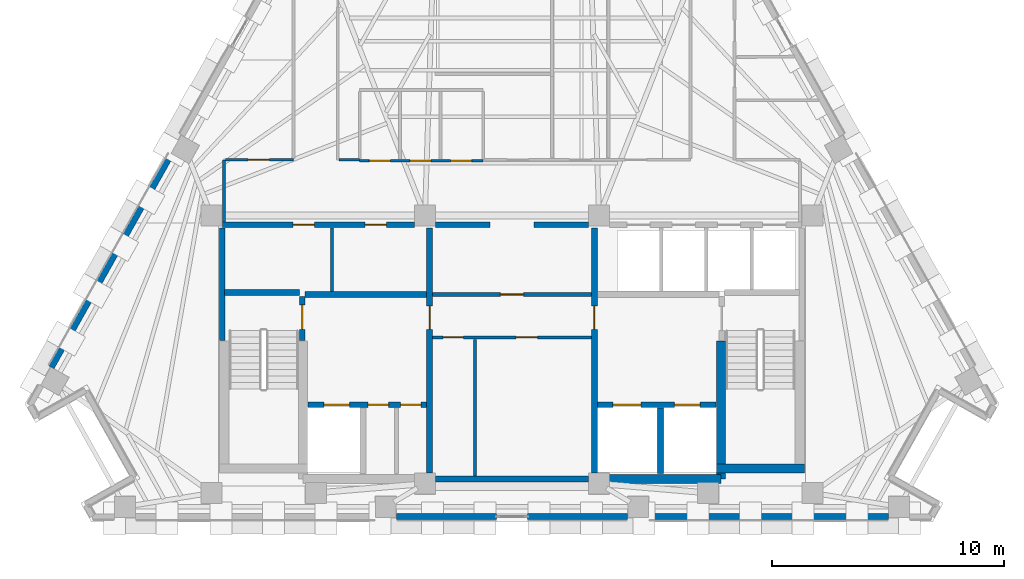
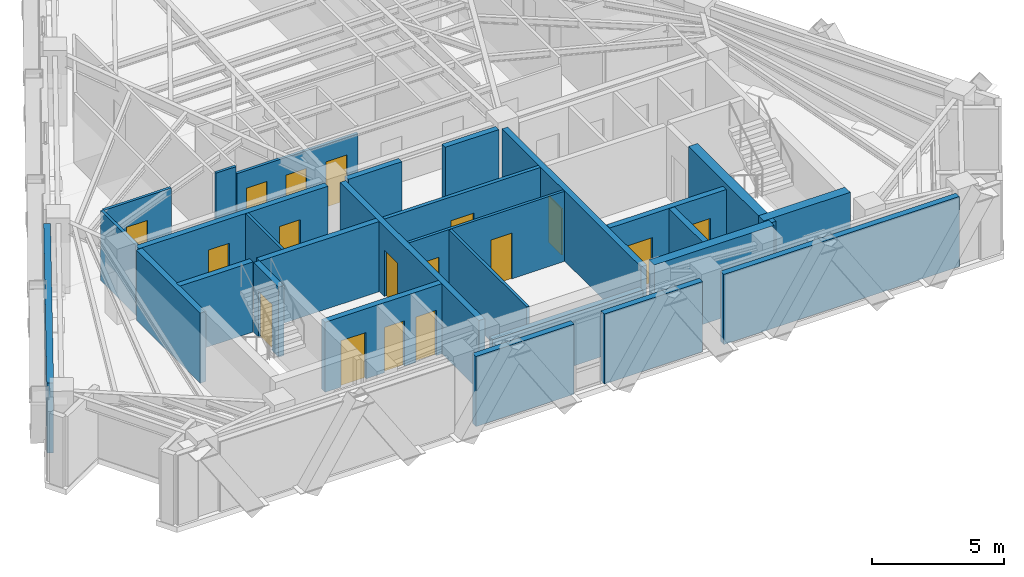
# One storey, part 7 of 13: 28 walls, 17 doors, 17 openings.
"""IFC4 building model written with IfcOpenShell, lengths in metres."""

from ifc_helpers import new_model, si_unit, direction, frame, frame_2d, origin, place, context, subcontext, project, spatial, rectangle, extrude, material, layer, layer_set, type_object, element, fill, save


model = new_model("IFC4")

# Units and contexts
model_context = context("Model", 3, precision=1e-05, world=origin(), true_north=direction((0.0, 1.0)))
body_context = subcontext(model_context, "Body", "Model", "MODEL_VIEW")
ifc_project = project(units=[si_unit("LENGTHUNIT", "METRE"), si_unit("AREAUNIT", "SQUARE_METRE"), si_unit("VOLUMEUNIT", "CUBIC_METRE"), si_unit("PLANEANGLEUNIT", "RADIAN"), si_unit("MASSUNIT", "GRAM", prefix="KILO")], contexts=[model_context])

# Site, building, storey
site_placement = place(None, origin())
site = spatial("IfcSite", under=ifc_project, at=site_placement, CompositionType="ELEMENT")
building_placement = place(site_placement, origin())
building = spatial("IfcBuilding", under=site, at=building_placement, Name="Quenlor Broadcast Tower", CompositionType="ELEMENT")
storey_placement = place(building_placement, frame((0.0, 0.0, 207.89990234375)))
storey = spatial("IfcBuildingStorey", under=building, at=storey_placement, Name="L57", CompositionType="ELEMENT", Elevation=207.89990234375)

# Walls
ifc_material_1 = material(Name="Concrete C50/60", Category="concrete")
ifc_layer_1 = layer(ifc_material_1, 0.39990234375)
ifc_layer_set_1 = layer_set([ifc_layer_1], Name="Core Concrete C50/60 Shear Wall 400")
wall_type_1 = type_object("IfcWallType", Name="Core Concrete C50/60 Shear Wall 400", PredefinedType="SHEAR", material=ifc_layer_set_1)
wall_1_placement = place(storey_placement, frame((3.75, -16.14990234375, 0.0), z_axis=(0.0, 0.0, 1.0), x_axis=(1.0, 0.0, 0.0)))
element("IfcWall", 1, at=wall_1_placement, inside=storey, type_object=wall_type_1, Name="L57 Core Shear Wall WS-E1", PredefinedType="SHEAR", context=body_context, shape_type="SweptSolid", body=[
    extrude(rectangle(XDim=5.25, YDim=0.39990234375, at=frame_2d((2.625, 0.0))), origin(), (0.0, 0.0, 1.0), 3.5),
])
wall_2_placement = place(storey_placement, frame((8.800048828125, -15.699951171875, 0.0), z_axis=(0.0, 0.0, 1.0), x_axis=(1.0, 0.0, 0.0)))
element("IfcWall", 2, at=wall_2_placement, inside=storey, type_object=wall_type_1, Name="L57 Core Shear Wall WS-E2", PredefinedType="SHEAR", context=body_context, shape_type="SweptSolid", body=[
    extrude(rectangle(XDim=3.800048828125, YDim=0.39990234375, at=frame_2d((1.89990234375, 0.0))), origin(), (0.0, 0.0, 1.0), 3.5),
])
wall_3_placement = place(storey_placement, frame((9.0, -16.14990234375, 0.0), z_axis=(0.0, 0.0, 1.0), x_axis=(0.0, 1.0, 0.0)))
element("IfcWall", 3, at=wall_3_placement, inside=storey, type_object=wall_type_1, Name="L57 Core Shear Wall WI-E", PredefinedType="SHEAR", context=body_context, shape_type="SweptSolid", body=[
    extrude(rectangle(XDim=5.949951171875, YDim=0.39990234375, at=frame_2d((2.97509765625, 0.0))), origin(), (0.0, 0.0, 1.0), 3.5),
])

# Wall, opening, door
ifc_material_2 = material(Name="Concrete C40/50", Category="concrete")
ifc_layer_2 = layer(ifc_material_2, 0.25)
ifc_layer_set_2 = layer_set([ifc_layer_2], Name="Fire Rated Concrete C40/50 Core Wall 250")
wall_type_2 = type_object("IfcWallType", Name="Fire Rated Concrete C40/50 Core Wall 250", PredefinedType="PARTITIONING", material=ifc_layer_set_2)
wall_4_placement = place(storey_placement, frame((-9.0400390625, -10.179931640625, 0.0), z_axis=(0.0, 0.0, 1.0), x_axis=(0.0, 1.0, 0.0)))
wall_4 = element("IfcWall", 4, at=wall_4_placement, inside=storey, type_object=wall_type_2, Name="L57 Interior Wall CW-ST1-DR", PredefinedType="PARTITIONING", context=body_context, shape_type="SweptSolid", body=[
    extrude(rectangle(XDim=1.89990234375, YDim=0.25, at=frame_2d((0.949951171875, 0.0))), origin(), (0.0, 0.0, 1.0), 3.25),
])
opening_1_placement = place(wall_4_placement, frame((0.47998046875, 0.0, 0.0)))
opening_1 = element("IfcOpeningElement", 5, at=opening_1_placement, cuts=wall_4, Name="Opening FD-1", PredefinedType="OPENING", context=body_context, shape_type="SweptSolid", body=[
    extrude(rectangle(XDim=1.050048828125, YDim=2.14990234375, at=frame_2d((0.52490234375, 1.074951171875))), frame((0.0, 0.135009765625, 0.0), z_axis=(0.0, -1.0, 0.0), x_axis=(1.0, 0.0, 0.0)), (0.0, 0.0, 1.0), 0.27001953125),
])
ifc_material_3 = material(Name="Fire Rated Steel Door Leaf", Category="steel")
door_type_1 = type_object("IfcDoorType", Name="Fire Isolated Stair Door 1050x2150", OperationType="NOTDEFINED", PredefinedType="DOOR", material=ifc_material_3)
door_1_placement = place(opening_1_placement, origin())
door_1 = element("IfcDoor", 6, at=door_1_placement, inside=storey, type_object=door_type_1, Name="L57 Door DR-ST1", OperationType="SINGLE_SWING_LEFT", OverallHeight=2.14990234375, OverallWidth=1.050048828125, PredefinedType="DOOR", context=body_context, shape_type="SweptSolid", body=[
    extrude(rectangle(XDim=1.050048828125, YDim=2.14990234375, at=frame_2d((0.52490234375, 1.074951171875))), frame((0.0, 0.02490234375, 0.0), z_axis=(0.0, -1.0, 0.0), x_axis=(1.0, 0.0, 0.0)), (0.0, 0.0, 1.0), 0.050048828125),
])
fill(opening_1, door_1)

# Walls
wall_5_placement = place(storey_placement, frame((-12.3798828125, -8.1201171875, 0.0), z_axis=(0.0, 0.0, 1.0), x_axis=(1.0, 0.0, 0.0)))
element("IfcWall", 7, at=wall_5_placement, inside=storey, type_object=wall_type_2, Name="L57 Interior Wall CW-ST1-N", PredefinedType="PARTITIONING", context=body_context, shape_type="SweptSolid", body=[
    extrude(rectangle(XDim=3.219970703125, YDim=0.25, at=frame_2d((1.60986328125, 0.0))), origin(), (0.0, 0.0, 1.0), 3.25),
])
wall_6_placement = place(storey_placement, frame((-12.47998046875, -10.179931640625, 0.0), z_axis=(0.0, 0.0, 1.0), x_axis=(0.0, 1.0, 0.0)))
element("IfcWall", 8, at=wall_6_placement, inside=storey, type_object=wall_type_2, Name="L57 Interior Wall CW-ST1-W2", PredefinedType="PARTITIONING", context=body_context, shape_type="SweptSolid", body=[
    extrude(rectangle(XDim=4.83984375, YDim=0.25, at=frame_2d((2.419921875, 0.0))), origin(), (0.0, 0.0, 1.0), 3.25),
])

# Wall, openings, doors
wall_7_placement = place(storey_placement, frame((-8.798095703125, -12.949951171875, 0.0), z_axis=(0.0, 0.0, 1.0), x_axis=(1.0, 0.0, 0.0)))
wall_7 = element("IfcWall", 9, at=wall_7_placement, inside=storey, type_object=wall_type_2, Name="L57 Interior Wall CW-FFW-S", PredefinedType="PARTITIONING", context=body_context, shape_type="SweptSolid", body=[
    extrude(rectangle(XDim=5.1181640625, YDim=0.25, at=frame_2d((2.55908203125, 0.0))), origin(), (0.0, 0.0, 1.0), 3.25),
])
opening_2_placement = place(wall_7_placement, frame((0.697998046875, 0.0, 0.0)))
opening_2 = element("IfcOpeningElement", 10, at=opening_2_placement, cuts=wall_7, Name="Opening LD-FFL-1", PredefinedType="OPENING", context=body_context, shape_type="SweptSolid", body=[
    extrude(rectangle(XDim=1.10009765625, YDim=2.14990234375, at=frame_2d((0.550048828125, 1.074951171875))), frame((0.0, 0.135009765625, 0.0), z_axis=(0.0, -1.0, 0.0), x_axis=(1.0, 0.0, 0.0)), (0.0, 0.0, 1.0), 0.27001953125),
])
opening_3_placement = place(wall_7_placement, frame((2.597900390625, 0.0, 0.0)))
opening_3 = element("IfcOpeningElement", 11, at=opening_3_placement, cuts=wall_7, Name="Opening TD-1", PredefinedType="OPENING", context=body_context, shape_type="SweptSolid", body=[
    extrude(rectangle(XDim=0.8798828125, YDim=2.10009765625, at=frame_2d((0.43994140625, 1.050048828125))), frame((0.0, 0.135009765625, 0.0), z_axis=(0.0, -1.0, 0.0), x_axis=(1.0, 0.0, 0.0)), (0.0, 0.0, 1.0), 0.27001953125),
])
opening_4_placement = place(wall_7_placement, frame((3.998046875, 0.0, 0.0)))
opening_4 = element("IfcOpeningElement", 12, at=opening_4_placement, cuts=wall_7, Name="Opening TD-1", PredefinedType="OPENING", context=body_context, shape_type="SweptSolid", body=[
    extrude(rectangle(XDim=0.8798828125, YDim=2.10009765625, at=frame_2d((0.43994140625, 1.050048828125))), frame((0.0, 0.135009765625, 0.0), z_axis=(0.0, -1.0, 0.0), x_axis=(1.0, 0.0, 0.0)), (0.0, 0.0, 1.0), 0.27001953125),
])
ifc_material_4 = material(Name="Brushed Stainless Steel", Category="steel")
door_type_2 = type_object("IfcDoorType", Name="Emergency Lift Sliding Landing Door 1100x2150", OperationType="NOTDEFINED", PredefinedType="DOOR", material=ifc_material_4)
door_2_placement = place(opening_2_placement, origin())
door_2 = element("IfcDoor", 13, at=door_2_placement, inside=storey, type_object=door_type_2, Name="L57 Door LD-FFL-1", OperationType="SLIDING_TO_LEFT", OverallHeight=2.14990234375, OverallWidth=1.10009765625, PredefinedType="DOOR", context=body_context, shape_type="SweptSolid", body=[
    extrude(rectangle(XDim=1.10009765625, YDim=2.14990234375, at=frame_2d((0.550048828125, 1.074951171875))), frame((0.0, 0.02490234375, 0.0), z_axis=(0.0, -1.0, 0.0), x_axis=(1.0, 0.0, 0.0)), (0.0, 0.0, 1.0), 0.050048828125),
])
fill(opening_2, door_2)
ifc_material_5 = material(Name="Fire Rated Steel Access Panel", Category="steel")
door_type_3 = type_object("IfcDoorType", Name="Riser Shaft Rated Access Trapdoor 880x2100", OperationType="NOTDEFINED", PredefinedType="TRAPDOOR", material=ifc_material_5)
door_3_placement = place(opening_3_placement, origin())
door_3 = element("IfcDoor", 14, at=door_3_placement, inside=storey, type_object=door_type_3, Name="L57 Door DR-ELR", OperationType="SINGLE_SWING_LEFT", OverallHeight=2.10009765625, OverallWidth=0.8798828125, PredefinedType="TRAPDOOR", context=body_context, shape_type="SweptSolid", body=[
    extrude(rectangle(XDim=0.8798828125, YDim=2.10009765625, at=frame_2d((0.43994140625, 1.050048828125))), frame((0.0, 0.02490234375, 0.0), z_axis=(0.0, -1.0, 0.0), x_axis=(1.0, 0.0, 0.0)), (0.0, 0.0, 1.0), 0.050048828125),
])
fill(opening_3, door_3)
door_4_placement = place(opening_4_placement, origin())
door_4 = element("IfcDoor", 15, at=door_4_placement, inside=storey, type_object=door_type_3, Name="L57 Door DR-CMR", OperationType="SINGLE_SWING_RIGHT", OverallHeight=2.10009765625, OverallWidth=0.8798828125, PredefinedType="TRAPDOOR", context=body_context, shape_type="SweptSolid", body=[
    extrude(rectangle(XDim=0.8798828125, YDim=2.10009765625, at=frame_2d((0.43994140625, 1.050048828125))), frame((0.0, 0.02490234375, 0.0), z_axis=(0.0, -1.0, 0.0), x_axis=(1.0, 0.0, 0.0)), (0.0, 0.0, 1.0), 0.050048828125),
])
fill(opening_4, door_4)

wall_8_placement = place(storey_placement, frame((3.679931640625, -12.949951171875, 0.0), z_axis=(0.0, 0.0, 1.0), x_axis=(1.0, 0.0, 0.0)))
wall_8 = element("IfcWall", 16, at=wall_8_placement, inside=storey, type_object=wall_type_2, Name="L57 Interior Wall CW-FFE-S", PredefinedType="PARTITIONING", context=body_context, shape_type="SweptSolid", body=[
    extrude(rectangle(XDim=5.1181640625, YDim=0.25, at=frame_2d((2.55908203125, 0.0))), origin(), (0.0, 0.0, 1.0), 3.25),
])
opening_5_placement = place(wall_8_placement, frame((3.320068359375, 0.0, 0.0)))
opening_5 = element("IfcOpeningElement", 17, at=opening_5_placement, cuts=wall_8, Name="Opening LD-FFL-2", PredefinedType="OPENING", context=body_context, shape_type="SweptSolid", body=[
    extrude(rectangle(XDim=1.10009765625, YDim=2.14990234375, at=frame_2d((0.550048828125, 1.074951171875))), frame((0.0, 0.135009765625, 0.0), z_axis=(0.0, -1.0, 0.0), x_axis=(1.0, 0.0, 0.0)), (0.0, 0.0, 1.0), 0.27001953125),
])
opening_6_placement = place(wall_8_placement, frame((0.669921875, 0.0, 0.0)))
opening_6 = element("IfcOpeningElement", 18, at=opening_6_placement, cuts=wall_8, Name="Opening LD-SVL-1", PredefinedType="OPENING", context=body_context, shape_type="SweptSolid", body=[
    extrude(rectangle(XDim=1.199951171875, YDim=2.14990234375, at=frame_2d((0.60009765625, 1.074951171875))), frame((0.0, 0.135009765625, 0.0), z_axis=(0.0, -1.0, 0.0), x_axis=(1.0, 0.0, 0.0)), (0.0, 0.0, 1.0), 0.27001953125),
])
door_5_placement = place(opening_5_placement, origin())
door_5 = element("IfcDoor", 19, at=door_5_placement, inside=storey, type_object=door_type_2, Name="L57 Door LD-FFL-2", OperationType="SLIDING_TO_RIGHT", OverallHeight=2.14990234375, OverallWidth=1.10009765625, PredefinedType="DOOR", context=body_context, shape_type="SweptSolid", body=[
    extrude(rectangle(XDim=1.10009765625, YDim=2.14990234375, at=frame_2d((0.550048828125, 1.074951171875))), frame((0.0, 0.02490234375, 0.0), z_axis=(0.0, -1.0, 0.0), x_axis=(1.0, 0.0, 0.0)), (0.0, 0.0, 1.0), 0.050048828125),
])
fill(opening_5, door_5)
ifc_material_6 = material(Name="Brushed Stainless Steel", Category="steel")
door_type_4 = type_object("IfcDoorType", Name="Goods Lift Sliding Landing Door 1200x2150", OperationType="NOTDEFINED", PredefinedType="DOOR", material=ifc_material_6)
door_6_placement = place(opening_6_placement, origin())
door_6 = element("IfcDoor", 20, at=door_6_placement, inside=storey, type_object=door_type_4, Name="L57 Door LD-SVL-1", OperationType="SLIDING_TO_LEFT", OverallHeight=2.14990234375, OverallWidth=1.199951171875, PredefinedType="DOOR", context=body_context, shape_type="SweptSolid", body=[
    extrude(rectangle(XDim=1.199951171875, YDim=2.14990234375, at=frame_2d((0.60009765625, 1.074951171875))), frame((0.0, 0.02490234375, 0.0), z_axis=(0.0, -1.0, 0.0), x_axis=(1.0, 0.0, 0.0)), (0.0, 0.0, 1.0), 0.050048828125),
])
fill(opening_6, door_6)

# Walls
wall_9_placement = place(storey_placement, frame((6.39990234375, -15.919921875, 0.0), z_axis=(0.0, 0.0, 1.0), x_axis=(0.0, 1.0, 0.0)))
element("IfcWall", 21, at=wall_9_placement, inside=storey, type_object=wall_type_2, Name="L57 Interior Wall CW-SV1-E", PredefinedType="PARTITIONING", context=body_context, shape_type="SweptSolid", body=[
    extrude(rectangle(XDim=2.829833984375, YDim=0.25, at=frame_2d((1.4150390625, 0.0))), origin(), (0.0, 0.0, 1.0), 3.25),
])
wall_10_placement = place(storey_placement, frame((-8.919921875, -8.199951171875, 0.0), z_axis=(0.0, 0.0, 1.0), x_axis=(1.0, 0.0, 0.0)))
element("IfcWall", 22, at=wall_10_placement, inside=storey, type_object=wall_type_2, Name="L57 Interior Wall CW-FFW-N", PredefinedType="PARTITIONING", context=body_context, shape_type="SweptSolid", body=[
    extrude(rectangle(XDim=5.239990234375, YDim=0.25, at=frame_2d((2.6201171875, 0.0))), origin(), (0.0, 0.0, 1.0), 3.25),
])

# Wall, opening, door
wall_11_placement = place(storey_placement, frame((-3.550048828125, -15.89794921875, 0.0), z_axis=(0.0, 0.0, 1.0), x_axis=(0.0, 1.0, 0.0)))
wall_11 = element("IfcWall", 23, at=wall_11_placement, inside=storey, type_object=wall_type_2, Name="L57 Interior Wall CW-FFW-E", PredefinedType="PARTITIONING", context=body_context, shape_type="SweptSolid", body=[
    extrude(rectangle(XDim=10.557861328125, YDim=0.25, at=frame_2d((5.27880859375, 0.0))), origin(), (0.0, 0.0, 1.0), 3.25),
])
opening_7_placement = place(wall_11_placement, frame((6.197998046875, 0.0, 0.0)))
opening_7 = element("IfcOpeningElement", 24, at=opening_7_placement, cuts=wall_11, Name="Opening FD-2", PredefinedType="OPENING", context=body_context, shape_type="SweptSolid", body=[
    extrude(rectangle(XDim=1.0, YDim=2.14990234375, at=frame_2d((0.5, 1.074951171875))), frame((0.0, 0.135009765625, 0.0), z_axis=(0.0, -1.0, 0.0), x_axis=(1.0, 0.0, 0.0)), (0.0, 0.0, 1.0), 0.27001953125),
])
ifc_material_7 = material(Name="Fire Rated Glazed Steel Door", Category="steel")
door_type_5 = type_object("IfcDoorType", Name="Firefighting Lobby Smoke Door 1000x2150", OperationType="NOTDEFINED", PredefinedType="DOOR", material=ifc_material_7)
door_7_placement = place(opening_7_placement, origin())
door_7 = element("IfcDoor", 25, at=door_7_placement, inside=storey, type_object=door_type_5, Name="L57 Door DR-FFLW", OperationType="SINGLE_SWING_RIGHT", OverallHeight=2.14990234375, OverallWidth=1.0, PredefinedType="DOOR", context=body_context, shape_type="SweptSolid", body=[
    extrude(rectangle(XDim=1.0, YDim=2.14990234375, at=frame_2d((0.5, 1.074951171875))), frame((0.0, 0.02490234375, 0.0), z_axis=(0.0, -1.0, 0.0), x_axis=(1.0, 0.0, 0.0)), (0.0, 0.0, 1.0), 0.050048828125),
])
fill(opening_7, door_7)

wall_12_placement = place(storey_placement, frame((3.550048828125, -15.89794921875, 0.0), z_axis=(0.0, 0.0, 1.0), x_axis=(0.0, 1.0, 0.0)))
wall_12 = element("IfcWall", 26, at=wall_12_placement, inside=storey, type_object=wall_type_2, Name="L57 Interior Wall CW-FFE-W", PredefinedType="PARTITIONING", context=body_context, shape_type="SweptSolid", body=[
    extrude(rectangle(XDim=10.557861328125, YDim=0.25, at=frame_2d((5.27880859375, 0.0))), origin(), (0.0, 0.0, 1.0), 3.25),
])
opening_8_placement = place(wall_12_placement, frame((6.197998046875, 0.0, 0.0)))
opening_8 = element("IfcOpeningElement", 27, at=opening_8_placement, cuts=wall_12, Name="Opening FD-2", PredefinedType="OPENING", context=body_context, shape_type="SweptSolid", body=[
    extrude(rectangle(XDim=1.0, YDim=2.14990234375, at=frame_2d((0.5, 1.074951171875))), frame((0.0, 0.135009765625, 0.0), z_axis=(0.0, -1.0, 0.0), x_axis=(1.0, 0.0, 0.0)), (0.0, 0.0, 1.0), 0.27001953125),
])
door_8_placement = place(opening_8_placement, origin())
door_8 = element("IfcDoor", 28, at=door_8_placement, inside=storey, type_object=door_type_5, Name="L57 Door DR-FFLE", OperationType="SINGLE_SWING_LEFT", OverallHeight=2.14990234375, OverallWidth=1.0, PredefinedType="DOOR", context=body_context, shape_type="SweptSolid", body=[
    extrude(rectangle(XDim=1.0, YDim=2.14990234375, at=frame_2d((0.5, 1.074951171875))), frame((0.0, 0.02490234375, 0.0), z_axis=(0.0, -1.0, 0.0), x_axis=(1.0, 0.0, 0.0)), (0.0, 0.0, 1.0), 0.050048828125),
])
fill(opening_8, door_8)

# Wall, openings, doors
wall_13_placement = place(storey_placement, frame((-12.47998046875, -5.199951171875, 0.0), z_axis=(0.0, 0.0, 1.0), x_axis=(1.0, 0.0, 0.0)))
wall_13 = element("IfcWall", 29, at=wall_13_placement, inside=storey, type_object=wall_type_2, Name="L57 Interior Wall CW-N-W", PredefinedType="PARTITIONING", context=body_context, shape_type="SweptSolid", body=[
    extrude(rectangle(XDim=8.278076171875, YDim=0.25, at=frame_2d((4.13916015625, 0.0))), origin(), (0.0, 0.0, 1.0), 3.25),
])
opening_9_placement = place(wall_13_placement, frame((3.050048828125, 0.0, 0.0)))
opening_9 = element("IfcOpeningElement", 30, at=opening_9_placement, cuts=wall_13, Name="Opening ID-1", PredefinedType="OPENING", context=body_context, shape_type="SweptSolid", body=[
    extrude(rectangle(XDim=0.919921875, YDim=2.1201171875, at=frame_2d((0.4599609375, 1.06005859375))), frame((0.0, 0.135009765625, 0.0), z_axis=(0.0, -1.0, 0.0), x_axis=(1.0, 0.0, 0.0)), (0.0, 0.0, 1.0), 0.27001953125),
])
opening_10_placement = place(wall_13_placement, frame((6.14990234375, 0.0, 0.0)))
opening_10 = element("IfcOpeningElement", 31, at=opening_10_placement, cuts=wall_13, Name="Opening ID-1", PredefinedType="OPENING", context=body_context, shape_type="SweptSolid", body=[
    extrude(rectangle(XDim=0.919921875, YDim=2.1201171875, at=frame_2d((0.4599609375, 1.06005859375))), frame((0.0, 0.135009765625, 0.0), z_axis=(0.0, -1.0, 0.0), x_axis=(1.0, 0.0, 0.0)), (0.0, 0.0, 1.0), 0.27001953125),
])
ifc_material_8 = material(Name="Solid Core Timber Oak", Category="wood")
door_type_6 = type_object("IfcDoorType", Name="Single Leaf Timber Office Door 920x2120", OperationType="NOTDEFINED", PredefinedType="DOOR", material=ifc_material_8)
door_9_placement = place(opening_9_placement, origin())
door_9 = element("IfcDoor", 32, at=door_9_placement, inside=storey, type_object=door_type_6, Name="L57 Door DR-RCL1", OperationType="SINGLE_SWING_LEFT", OverallHeight=2.1201171875, OverallWidth=0.919921875, PredefinedType="DOOR", context=body_context, shape_type="SweptSolid", body=[
    extrude(rectangle(XDim=0.919921875, YDim=2.1201171875, at=frame_2d((0.4599609375, 1.06005859375))), frame((0.0, 0.02490234375, 0.0), z_axis=(0.0, -1.0, 0.0), x_axis=(1.0, 0.0, 0.0)), (0.0, 0.0, 1.0), 0.050048828125),
])
fill(opening_9, door_9)
door_10_placement = place(opening_10_placement, origin())
door_10 = element("IfcDoor", 33, at=door_10_placement, inside=storey, type_object=door_type_6, Name="L57 Door DR-RCL2", OperationType="SINGLE_SWING_RIGHT", OverallHeight=2.1201171875, OverallWidth=0.919921875, PredefinedType="DOOR", context=body_context, shape_type="SweptSolid", body=[
    extrude(rectangle(XDim=0.919921875, YDim=2.1201171875, at=frame_2d((0.4599609375, 1.06005859375))), frame((0.0, 0.02490234375, 0.0), z_axis=(0.0, -1.0, 0.0), x_axis=(1.0, 0.0, 0.0)), (0.0, 0.0, 1.0), 0.050048828125),
])
fill(opening_10, door_10)

# Walls
for number, where, z_axis, x_axis, name in (
    (34, (-3.298095703125, -5.199951171875, 0.0), (0.0, 0.0, 1.0), (1.0, 0.0, 0.0), "L57 Interior Wall CW-N-M1"),
    (35, (0.949951171875, -5.199951171875, 0.0), (0.0, 0.0, 1.0), (1.0, 0.0, 0.0), "L57 Interior Wall CW-N-M2"),
):
    element("IfcWall", number, at=place(storey_placement, frame(where, z_axis=z_axis, x_axis=x_axis)), inside=storey, type_object=wall_type_2, Name=name, PredefinedType="PARTITIONING", context=body_context, shape_type="SweptSolid", body=[
        extrude(rectangle(XDim=2.34814453125, YDim=0.25, at=frame_2d((1.174072265625, 0.0))), origin(), (0.0, 0.0, 1.0), 3.25),
    ])
wall_14_placement = place(storey_placement, frame((-3.298095703125, -16.14990234375, 0.0), z_axis=(0.0, 0.0, 1.0), x_axis=(1.0, 0.0, 0.0)))
element("IfcWall", 36, at=wall_14_placement, inside=storey, type_object=wall_type_2, Name="L57 Interior Wall CW-MS-S", PredefinedType="PARTITIONING", context=body_context, shape_type="SweptSolid", body=[
    extrude(rectangle(XDim=6.59619140625, YDim=0.25, at=frame_2d((3.298095703125, 0.0))), origin(), (0.0, 0.0, 1.0), 2.4501953125),
])

# Wall, opening, door
ifc_material_9 = material(Name="Gypsum Fireboard Partition", Category="other")
ifc_layer_3 = layer(ifc_material_9, 0.159912109375)
ifc_layer_set_3 = layer_set([ifc_layer_3], Name="Fire Rated Shaft and Corridor Partition 160")
wall_type_3 = type_object("IfcWallType", Name="Fire Rated Shaft and Corridor Partition 160", PredefinedType="PARTITIONING", material=ifc_layer_set_3)
wall_15_placement = place(storey_placement, frame((-3.419921875, -8.199951171875, 0.0), z_axis=(0.0, 0.0, 1.0), x_axis=(1.0, 0.0, 0.0)))
wall_15 = element("IfcWall", 37, at=wall_15_placement, inside=storey, type_object=wall_type_3, Name="L57 Interior Wall CW-M-BACK", PredefinedType="PARTITIONING", context=body_context, shape_type="SweptSolid", body=[
    extrude(rectangle(XDim=6.83984375, YDim=0.159912109375, at=frame_2d((3.419921875, 0.0))), origin(), (0.0, 0.0, 1.0), 3.25),
])
opening_11_placement = place(wall_15_placement, frame((2.919921875, 0.0, 0.0)))
opening_11 = element("IfcOpeningElement", 38, at=opening_11_placement, cuts=wall_15, Name="Opening FD-2", PredefinedType="OPENING", context=body_context, shape_type="SweptSolid", body=[
    extrude(rectangle(XDim=1.0, YDim=2.14990234375, at=frame_2d((0.5, 1.074951171875))), frame((0.0, 0.08984375, 0.0), z_axis=(0.0, -1.0, 0.0), x_axis=(1.0, 0.0, 0.0)), (0.0, 0.0, 1.0), 0.179931640625),
])
door_11_placement = place(opening_11_placement, origin())
door_11 = element("IfcDoor", 39, at=door_11_placement, inside=storey, type_object=door_type_5, Name="L57 Door DR-CCRP", OperationType="SINGLE_SWING_LEFT", OverallHeight=2.14990234375, OverallWidth=1.0, PredefinedType="DOOR", context=body_context, shape_type="SweptSolid", body=[
    extrude(rectangle(XDim=1.0, YDim=2.14990234375, at=frame_2d((0.5, 1.074951171875))), frame((0.0, 0.02490234375, 0.0), z_axis=(0.0, -1.0, 0.0), x_axis=(1.0, 0.0, 0.0)), (0.0, 0.0, 1.0), 0.050048828125),
])
fill(opening_11, door_11)

# Wall
ifc_material_10 = material(Name="Gypsum Plasterboard Partition", Category="other")
ifc_layer_4 = layer(ifc_material_10, 0.1201171875)
ifc_layer_set_4 = layer_set([ifc_layer_4], Name="Standard Office Partition 120")
wall_type_4 = type_object("IfcWallType", Name="Standard Office Partition 120", PredefinedType="PARTITIONING", material=ifc_layer_set_4)
wall_16_placement = place(storey_placement, frame((-7.75, -8.072998046875, 0.0), z_axis=(0.0, 0.0, 1.0), x_axis=(0.0, 1.0, 0.0)))
element("IfcWall", 40, at=wall_16_placement, inside=storey, type_object=wall_type_4, Name="L57 Interior Wall CW-RCL-MID", PredefinedType="PARTITIONING", context=body_context, shape_type="SweptSolid", body=[
    extrude(rectangle(XDim=2.73291015625, YDim=0.1201171875, at=frame_2d((1.366455078125, 0.0))), origin(), (0.0, 0.0, 1.0), 3.25),
])

# Wall, openings, doors
wall_17_placement = place(storey_placement, frame((-3.419921875, -10.050048828125, 0.0), z_axis=(0.0, 0.0, 1.0), x_axis=(1.0, 0.0, 0.0)))
wall_17 = element("IfcWall", 41, at=wall_17_placement, inside=storey, type_object=wall_type_4, Name="L57 Interior Wall CW-MS-N", PredefinedType="PARTITIONING", context=body_context, shape_type="SweptSolid", body=[
    extrude(rectangle(XDim=6.83984375, YDim=0.1201171875, at=frame_2d((3.419921875, 0.0))), origin(), (0.0, 0.0, 1.0), 3.25),
])
opening_12_placement = place(wall_17_placement, frame((0.449951171875, 0.0, 0.0)))
opening_12 = element("IfcOpeningElement", 42, at=opening_12_placement, cuts=wall_17, Name="Opening ID-4", PredefinedType="OPENING", context=body_context, shape_type="SweptSolid", body=[
    extrude(rectangle(XDim=0.8798828125, YDim=2.1201171875, at=frame_2d((0.43994140625, 1.06005859375))), frame((0.0, 0.070068359375, 0.0), z_axis=(0.0, -1.0, 0.0), x_axis=(1.0, 0.0, 0.0)), (0.0, 0.0, 1.0), 0.14013671875),
])
opening_13_placement = place(wall_17_placement, frame((3.60009765625, 0.0, 0.0)))
opening_13 = element("IfcOpeningElement", 43, at=opening_13_placement, cuts=wall_17, Name="Opening ID-1", PredefinedType="OPENING", context=body_context, shape_type="SweptSolid", body=[
    extrude(rectangle(XDim=0.919921875, YDim=2.1201171875, at=frame_2d((0.4599609375, 1.06005859375))), frame((0.0, 0.070068359375, 0.0), z_axis=(0.0, -1.0, 0.0), x_axis=(1.0, 0.0, 0.0)), (0.0, 0.0, 1.0), 0.14013671875),
])
ifc_material_11 = material(Name="Solid Core Timber Oak", Category="wood")
door_type_7 = type_object("IfcDoorType", Name="Service Closet Timber Door 880x2120", OperationType="NOTDEFINED", PredefinedType="DOOR", material=ifc_material_11)
door_12_placement = place(opening_12_placement, origin())
door_12 = element("IfcDoor", 44, at=door_12_placement, inside=storey, type_object=door_type_7, Name="L57 Door DR-RCMA", OperationType="SINGLE_SWING_LEFT", OverallHeight=2.1201171875, OverallWidth=0.8798828125, PredefinedType="DOOR", context=body_context, shape_type="SweptSolid", body=[
    extrude(rectangle(XDim=0.8798828125, YDim=2.1201171875, at=frame_2d((0.43994140625, 1.06005859375))), frame((0.0, 0.02490234375, 0.0), z_axis=(0.0, -1.0, 0.0), x_axis=(1.0, 0.0, 0.0)), (0.0, 0.0, 1.0), 0.050048828125),
])
fill(opening_12, door_12)
door_13_placement = place(opening_13_placement, origin())
door_13 = element("IfcDoor", 45, at=door_13_placement, inside=storey, type_object=door_type_6, Name="L57 Door DR-RCMB", OperationType="SINGLE_SWING_RIGHT", OverallHeight=2.1201171875, OverallWidth=0.919921875, PredefinedType="DOOR", context=body_context, shape_type="SweptSolid", body=[
    extrude(rectangle(XDim=0.919921875, YDim=2.1201171875, at=frame_2d((0.4599609375, 1.06005859375))), frame((0.0, 0.02490234375, 0.0), z_axis=(0.0, -1.0, 0.0), x_axis=(1.0, 0.0, 0.0)), (0.0, 0.0, 1.0), 0.050048828125),
])
fill(opening_13, door_13)

# Wall
wall_18_placement = place(storey_placement, frame((-1.60009765625, -16.02001953125, 0.0), z_axis=(0.0, 0.0, 1.0), x_axis=(0.0, 1.0, 0.0)))
element("IfcWall", 46, at=wall_18_placement, inside=storey, type_object=wall_type_4, Name="L57 Interior Wall CW-RCM-X1", PredefinedType="PARTITIONING", context=body_context, shape_type="SweptSolid", body=[
    extrude(rectangle(XDim=5.89013671875, YDim=0.1201171875, at=frame_2d((2.945068359375, 0.0))), origin(), (0.0, 0.0, 1.0), 3.25),
])

# Wall, openings, doors
wall_19_placement = place(storey_placement, frame((-6.56005859375, -2.43994140625, 0.0), z_axis=(0.0, 0.0, 1.0), x_axis=(1.0, 0.0, 0.0)))
wall_19 = element("IfcWall", 47, at=wall_19_placement, inside=storey, type_object=wall_type_4, Name="L57 Interior Wall PW-WC-S", PredefinedType="PARTITIONING", context=body_context, shape_type="SweptSolid", body=[
    extrude(rectangle(XDim=5.320068359375, YDim=0.1201171875, at=frame_2d((2.66015625, 0.0))), origin(), (0.0, 0.0, 1.0), 2.94287109375),
])
opening_14_placement = place(wall_19_placement, frame((0.419921875, 0.0, 0.0)))
opening_14 = element("IfcOpeningElement", 48, at=opening_14_placement, cuts=wall_19, Name="Opening ID-3", PredefinedType="OPENING", context=body_context, shape_type="SweptSolid", body=[
    extrude(rectangle(XDim=0.89990234375, YDim=2.1201171875, at=frame_2d((0.449951171875, 1.06005859375))), frame((0.0, 0.070068359375, 0.0), z_axis=(0.0, -1.0, 0.0), x_axis=(1.0, 0.0, 0.0)), (0.0, 0.0, 1.0), 0.14013671875),
])
opening_15_placement = place(wall_19_placement, frame((2.159912109375, 0.0, 0.0)))
opening_15 = element("IfcOpeningElement", 49, at=opening_15_placement, cuts=wall_19, Name="Opening ID-3", PredefinedType="OPENING", context=body_context, shape_type="SweptSolid", body=[
    extrude(rectangle(XDim=0.89990234375, YDim=2.1201171875, at=frame_2d((0.449951171875, 1.06005859375))), frame((0.0, 0.070068359375, 0.0), z_axis=(0.0, -1.0, 0.0), x_axis=(1.0, 0.0, 0.0)), (0.0, 0.0, 1.0), 0.14013671875),
])
opening_16_placement = place(wall_19_placement, frame((3.919921875, 0.0, 0.0)))
opening_16 = element("IfcOpeningElement", 50, at=opening_16_placement, cuts=wall_19, Name="Opening ID-3", PredefinedType="OPENING", context=body_context, shape_type="SweptSolid", body=[
    extrude(rectangle(XDim=0.89990234375, YDim=2.1201171875, at=frame_2d((0.449951171875, 1.06005859375))), frame((0.0, 0.070068359375, 0.0), z_axis=(0.0, -1.0, 0.0), x_axis=(1.0, 0.0, 0.0)), (0.0, 0.0, 1.0), 0.14013671875),
])
ifc_material_12 = material(Name="Moisture Resistant Timber Oak", Category="wood")
door_type_8 = type_object("IfcDoorType", Name="Washroom Privacy Door 900x2120", OperationType="NOTDEFINED", PredefinedType="DOOR", material=ifc_material_12)
door_14_placement = place(opening_14_placement, origin())
door_14 = element("IfcDoor", 51, at=door_14_placement, inside=storey, type_object=door_type_8, Name="L57 Door DR-FWC", OperationType="SINGLE_SWING_LEFT", OverallHeight=2.1201171875, OverallWidth=0.89990234375, PredefinedType="DOOR", context=body_context, shape_type="SweptSolid", body=[
    extrude(rectangle(XDim=0.89990234375, YDim=2.1201171875, at=frame_2d((0.449951171875, 1.06005859375))), frame((0.0, 0.02490234375, 0.0), z_axis=(0.0, -1.0, 0.0), x_axis=(1.0, 0.0, 0.0)), (0.0, 0.0, 1.0), 0.050048828125),
])
fill(opening_14, door_14)
door_15_placement = place(opening_15_placement, origin())
door_15 = element("IfcDoor", 52, at=door_15_placement, inside=storey, type_object=door_type_8, Name="L57 Door DR-MWC", OperationType="SINGLE_SWING_RIGHT", OverallHeight=2.1201171875, OverallWidth=0.89990234375, PredefinedType="DOOR", context=body_context, shape_type="SweptSolid", body=[
    extrude(rectangle(XDim=0.89990234375, YDim=2.1201171875, at=frame_2d((0.449951171875, 1.06005859375))), frame((0.0, 0.02490234375, 0.0), z_axis=(0.0, -1.0, 0.0), x_axis=(1.0, 0.0, 0.0)), (0.0, 0.0, 1.0), 0.050048828125),
])
fill(opening_15, door_15)
door_16_placement = place(opening_16_placement, origin())
door_16 = element("IfcDoor", 53, at=door_16_placement, inside=storey, type_object=door_type_8, Name="L57 Door DR-AWC", OperationType="SINGLE_SWING_RIGHT", OverallHeight=2.1201171875, OverallWidth=0.89990234375, PredefinedType="DOOR", context=body_context, shape_type="SweptSolid", body=[
    extrude(rectangle(XDim=0.89990234375, YDim=2.1201171875, at=frame_2d((0.449951171875, 1.06005859375))), frame((0.0, 0.02490234375, 0.0), z_axis=(0.0, -1.0, 0.0), x_axis=(1.0, 0.0, 0.0)), (0.0, 0.0, 1.0), 0.050048828125),
])
fill(opening_16, door_16)

# Wall
wall_20_placement = place(storey_placement, frame((-12.409912109375, -5.072998046875, 0.0), z_axis=(0.0, 0.0, 1.0), x_axis=(0.0, 1.0, 0.0)))
element("IfcWall", 54, at=wall_20_placement, inside=storey, type_object=wall_type_4, Name="L57 Interior Wall PW-CR-01", PredefinedType="PARTITIONING", context=body_context, shape_type="SweptSolid", body=[
    extrude(rectangle(XDim=2.673095703125, YDim=0.1201171875, at=frame_2d((1.33642578125, 0.0))), origin(), (0.0, 0.0, 1.0), 3.25),
])

# Wall, opening, door
wall_21_placement = place(storey_placement, frame((-12.347900390625, -2.39990234375, 0.0), z_axis=(0.0, 0.0, 1.0), x_axis=(1.0, 0.0, 0.0)))
wall_21 = element("IfcWall", 55, at=wall_21_placement, inside=storey, type_object=wall_type_4, Name="L57 Interior Wall PW-CR-02", PredefinedType="PARTITIONING", context=body_context, shape_type="SweptSolid", body=[
    extrude(rectangle(XDim=2.93798828125, YDim=0.1201171875, at=frame_2d((1.468994140625, 0.0))), origin(), (0.0, 0.0, 1.0), 3.25),
])
opening_17_placement = place(wall_21_placement, frame((0.97802734375, 0.0, 0.0)))
opening_17 = element("IfcOpeningElement", 56, at=opening_17_placement, cuts=wall_21, Name="Opening ID-1", PredefinedType="OPENING", context=body_context, shape_type="SweptSolid", body=[
    extrude(rectangle(XDim=0.919921875, YDim=2.1201171875, at=frame_2d((0.4599609375, 1.06005859375))), frame((0.0, 0.070068359375, 0.0), z_axis=(0.0, -1.0, 0.0), x_axis=(1.0, 0.0, 0.0)), (0.0, 0.0, 1.0), 0.14013671875),
])
door_17_placement = place(opening_17_placement, origin())
door_17 = element("IfcDoor", 57, at=door_17_placement, inside=storey, type_object=door_type_6, Name="L57 Door DR-RM08", OperationType="SINGLE_SWING_RIGHT", OverallHeight=2.1201171875, OverallWidth=0.919921875, PredefinedType="DOOR", context=body_context, shape_type="SweptSolid", body=[
    extrude(rectangle(XDim=0.919921875, YDim=2.1201171875, at=frame_2d((0.4599609375, 1.06005859375))), frame((0.0, 0.02490234375, 0.0), z_axis=(0.0, -1.0, 0.0), x_axis=(1.0, 0.0, 0.0)), (0.0, 0.0, 1.0), 0.050048828125),
])
fill(opening_17, door_17)

# Walls
wall_22_placement = place(storey_placement, frame((-7.447998046875, -2.39990234375, 0.0), z_axis=(0.0, 0.0, 1.0), x_axis=(1.0, 0.0, 0.0)))
element("IfcWall", 58, at=wall_22_placement, inside=storey, type_object=wall_type_4, Name="L57 Interior Wall PW-CR-06", PredefinedType="PARTITIONING", context=body_context, shape_type="SweptSolid", body=[
    extrude(rectangle(XDim=0.885986328125, YDim=0.1201171875, at=frame_2d((0.44287109375, 0.0))), origin(), (0.0, 0.0, 1.0), 3.25),
])
ifc_material_13 = material(Name="Precast concrete C40/50", Category="concrete")
ifc_layer_5 = layer(ifc_material_13, 0.260009765625)
ifc_layer_set_5 = layer_set([ifc_layer_5], Name="Terracotta Precast Concrete C40/50 Upper Wall 260")
wall_type_5 = type_object("IfcWallType", Name="Terracotta Precast Concrete C40/50 Upper Wall 260", PredefinedType="STANDARD", material=ifc_layer_set_5)
wall_23_placement = place(storey_placement, frame((16.220947265625, -17.77490234375, 0.0), z_axis=(0.0, 0.0, 1.0), x_axis=(-1.0, 0.0, 0.0)))
element("IfcWall", 59, at=wall_23_placement, inside=storey, type_object=wall_type_5, Name="L57 Exterior Wall L57-EW-SA", PredefinedType="STANDARD", context=body_context, shape_type="SweptSolid", body=[
    extrude(rectangle(XDim=10.328125, YDim=0.260009765625, at=frame_2d((5.1640625, 0.0))), origin(), (0.0, 0.0, 1.0), 3.25),
])
for number, where, z_axis, x_axis, name in (
    (60, (4.9677734375, -17.77490234375, 0.0), (0.0, 0.0, 1.0), (-1.0, 0.0, 0.0), "L57 Exterior Wall L57-S-SP1"),
    (61, (-0.662353515625, -17.77490234375, 0.0), (0.0, 0.0, 1.0), (-1.0, 0.0, 0.0), "L57 Exterior Wall L57-S-SP2"),
):
    element("IfcWall", number, at=place(storey_placement, frame(where, z_axis=z_axis, x_axis=x_axis)), inside=storey, type_object=wall_type_5, Name=name, PredefinedType="STANDARD", context=body_context, shape_type="SweptSolid", body=[
        extrude(rectangle(XDim=4.305419921875, YDim=0.260009765625, at=frame_2d((2.15283203125, 0.0))), origin(), (0.0, 0.0, 1.0), 3.25),
    ])
wall_24_placement = place(storey_placement, frame((-19.84375, -11.3369140625, 0.0), z_axis=(0.0, 0.0, 1.0), x_axis=(0.490246958575, 0.871583570066, 0.0)))
element("IfcWall", 62, at=wall_24_placement, inside=storey, type_object=wall_type_5, Name="L57 Exterior Wall L57-EW-NWA", PredefinedType="STANDARD", context=body_context, shape_type="SweptSolid", body=[
    extrude(rectangle(XDim=10.551513671875, YDim=0.260009765625, at=frame_2d((5.27587890625, 0.0))), origin(), (0.0, 0.0, 1.0), 3.25),
])

save(model, "model.ifc")
